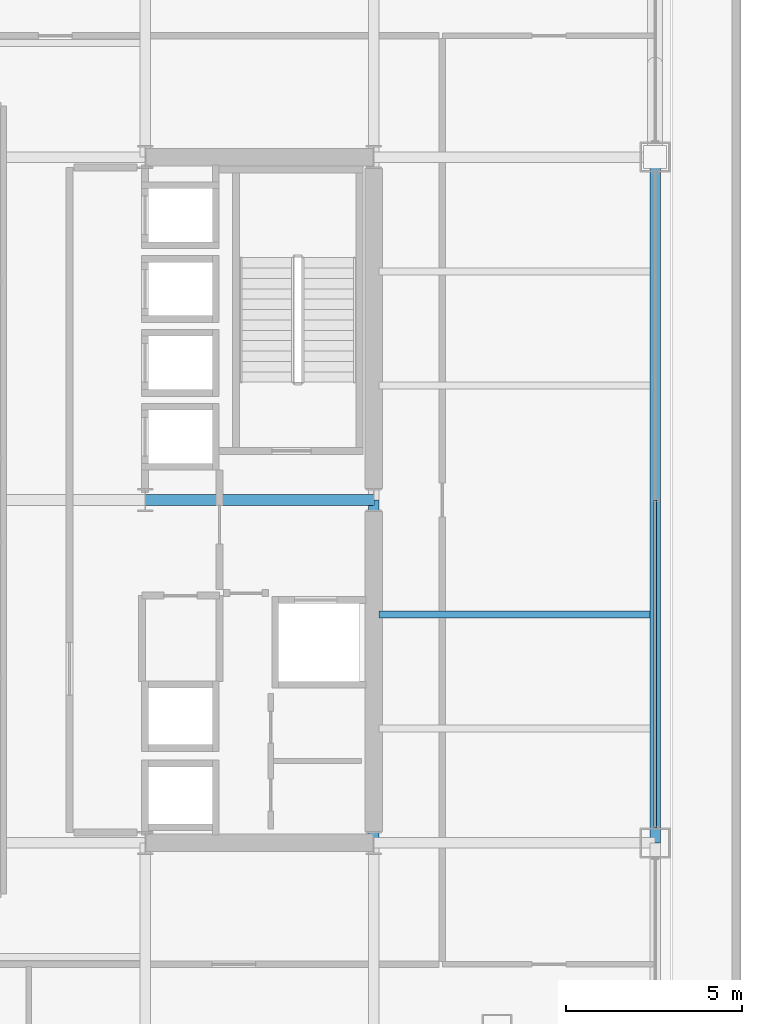
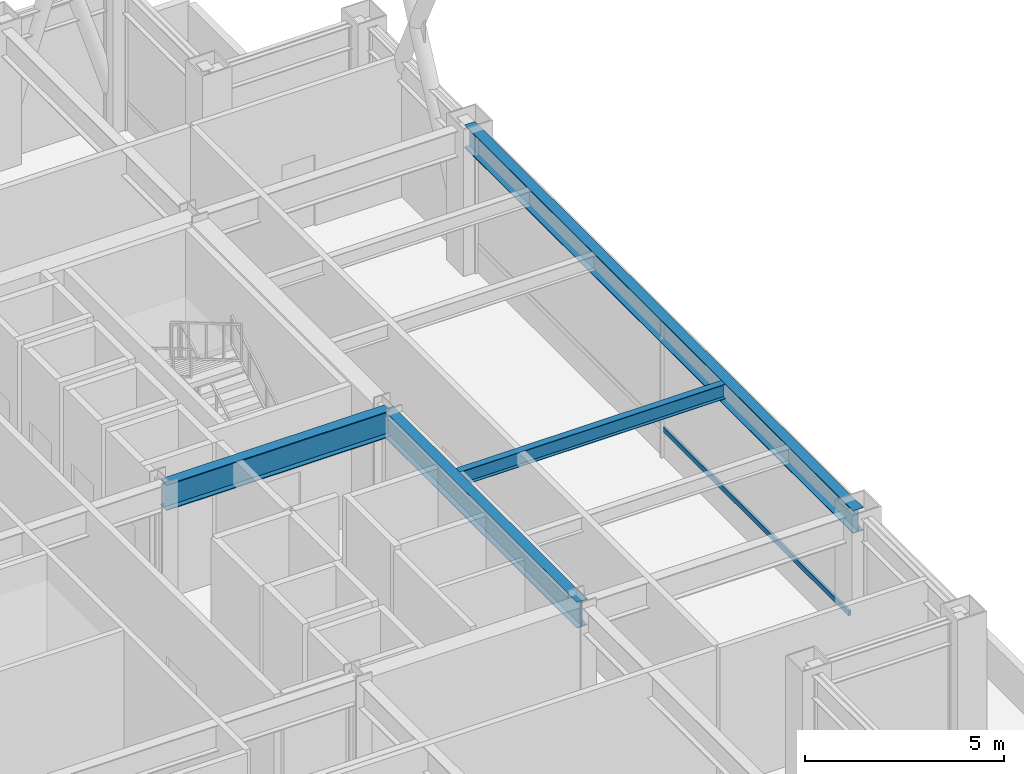
# One storey, part 14 of 32: 4 beams, 1 member, 1 element without a shape of its own.
"""IFC4 building model written with IfcOpenShell, lengths in metres."""

import ifcopenshell
import ifcopenshell.guid

model = None  # the IFC model being written
_history = None  # IfcOwnerHistory: only IFC2X3 demands one
_inside = {}  # id of a spatial element -> (the spatial element, [elements in it])
_under = {}  # id of a project, library or spatial element -> (it, [spatial elements below it])
_declared = {}  # id of a project -> (the project, [libraries it declares])
_typed = {}  # id of a type object -> (the type object, [elements of that type])
_made_of = {}  # id of a material, layer set ... -> (it, [elements and type objects made of it])


def new_model(schema):
    """Start an empty IFC model of exactly this schema.

    Asked for "IFC4X3", IfcOpenShell would pick the latest addendum, in which some entities
    have other attributes; the version numbers below select the first issue.
    IFC2X3 requires an IfcOwnerHistory on every rooted entity: one is made here for all.
    """
    global model, _history
    if schema == "IFC4X3":
        model = ifcopenshell.file(schema_version=(4, 3, 0, 0))
    else:
        model = ifcopenshell.file(schema=schema)
    _inside.clear()
    _under.clear()
    _declared.clear()
    _typed.clear()
    _made_of.clear()
    _history = None
    if model.schema == "IFC2X3":
        org = make("IfcOrganization", Name="unknown")
        user = make(
            "IfcPersonAndOrganization",
            ThePerson=make("IfcPerson", FamilyName="unknown"),
            TheOrganization=org,
        )
        app = make(
            "IfcApplication",
            ApplicationDeveloper=org,
            Version="unknown",
            ApplicationFullName="unknown",
            ApplicationIdentifier="unknown",
        )
        _history = make(
            "IfcOwnerHistory",
            OwningUser=user,
            OwningApplication=app,
            ChangeAction="ADDED",
            CreationDate=0,
        )
    return model


def make(cls, **values):
    """One entity of the class cls with the attributes given. An attribute that is None is left unset."""
    return model.create_entity(
        cls, **{name: value for name, value in values.items() if value is not None}
    )


def rooted(cls, **values):
    """An entity with a GlobalId (a new one), such as an element, a storey or a relation."""
    return make(cls, GlobalId=ifcopenshell.guid.new(), OwnerHistory=_history, **values)


def si_unit(unit_type, name, prefix=None):
    """IfcSIUnit, for example si_unit("LENGTHUNIT", "METRE", prefix="MILLI")."""
    return make("IfcSIUnit", UnitType=unit_type, Prefix=prefix, Name=name)


def assignment(units):
    """IfcUnitAssignment: the units of a project."""
    return None if units is None else make("IfcUnitAssignment", Units=units)


def point(xyz):
    """IfcCartesianPoint."""
    return None if xyz is None else make("IfcCartesianPoint", Coordinates=xyz)


def direction(xyz):
    """IfcDirection."""
    return None if xyz is None else make("IfcDirection", DirectionRatios=xyz)


def frame(location, z_axis=None, x_axis=None):
    """IfcAxis2Placement3D, a coordinate frame: its origin and axes. An axis left out is left unset."""
    return make(
        "IfcAxis2Placement3D",
        Location=point(location),
        Axis=direction(z_axis),
        RefDirection=direction(x_axis),
    )


def frame_2d(location, x_axis=None):
    """IfcAxis2Placement2D, a coordinate frame in the plane: its origin and x axis."""
    return make(
        "IfcAxis2Placement2D", Location=point(location), RefDirection=direction(x_axis)
    )


def origin():
    """The frame at (0, 0, 0) with its axes left unset."""
    return frame((0.0, 0.0, 0.0))


def origin_2d():
    """The frame at (0, 0) in the plane with its x axis left unset."""
    return frame_2d((0.0, 0.0))


def place(relative_to, where):
    """IfcLocalPlacement: puts the frame where relative to a parent placement (None: the world)."""
    return make(
        "IfcLocalPlacement", PlacementRelTo=relative_to, RelativePlacement=where
    )


def context(
    kind, dimensions, precision=None, world=None, true_north=None, identifier=None
):
    """IfcGeometricRepresentationContext, for example the 3D "Model" context."""
    return make(
        "IfcGeometricRepresentationContext",
        ContextIdentifier=identifier,
        ContextType=kind,
        CoordinateSpaceDimension=dimensions,
        Precision=precision,
        WorldCoordinateSystem=world,
        TrueNorth=true_north,
    )


def subcontext(parent, identifier, kind, view, scale=None):
    """IfcGeometricRepresentationSubContext, for example "Body" below "Model"."""
    return make(
        "IfcGeometricRepresentationSubContext",
        ContextIdentifier=identifier,
        ContextType=kind,
        ParentContext=parent,
        TargetScale=scale,
        TargetView=view,
    )


def project(units=None, contexts=None):
    """IfcProject with its units and contexts."""
    return rooted(
        "IfcProject",
        Name="project",
        RepresentationContexts=contexts,
        UnitsInContext=assignment(units),
    )


def spatial(cls, under=None, at=None, **own):
    """A site, building, storey or space (cls), placed at a placement, below another one or the project."""
    s = rooted(cls, ObjectPlacement=at, **own)
    if under is not None:
        _under.setdefault(under.id(), (under, []))[1].append(s)
    return s


def profile(cls, at=None, kind="AREA", **sizes):
    """A parametric profile (cls). Its sizes go by their IFC names, for example OverallWidth=200.0."""
    return make(cls, ProfileType=kind, Position=at, **sizes)


def hollow_rectangle(**sizes):
    """IfcRectangleHollowProfileDef."""
    return profile("IfcRectangleHollowProfileDef", **sizes)


def i_section(**sizes):
    """IfcIShapeProfileDef."""
    return profile("IfcIShapeProfileDef", **sizes)


def extrude(swept, where, along, depth):
    """IfcExtrudedAreaSolid: the profile swept, set in the frame where, extruded along a direction by depth."""
    return make(
        "IfcExtrudedAreaSolid",
        SweptArea=swept,
        Position=where,
        ExtrudedDirection=direction(along),
        Depth=depth,
    )


def shape(context_of_items, identifier, shape_type, items):
    """IfcShapeRepresentation: the items that make up one representation, for example the "Body"."""
    return make(
        "IfcShapeRepresentation",
        ContextOfItems=context_of_items,
        RepresentationIdentifier=identifier,
        RepresentationType=shape_type,
        Items=items,
    )


def material(Name=None, Category=None):
    """IfcMaterial."""
    return make("IfcMaterial", Name=Name, Category=Category)


def layer(
    of_material, thickness, ventilated=None, Name=None, Category=None, Priority=None
):
    """IfcMaterialLayer: one layer of a wall or slab, of a material (None: an air gap)."""
    return make(
        "IfcMaterialLayer",
        Material=of_material,
        LayerThickness=thickness,
        IsVentilated=ventilated,
        Name=Name,
        Category=Category,
        Priority=Priority,
    )


def layer_set(layers, Name=None):
    """IfcMaterialLayerSet."""
    return make("IfcMaterialLayerSet", MaterialLayers=layers, LayerSetName=Name)


def material_profile(
    of_material, cross_section, Name=None, Category=None, Priority=None
):
    """IfcMaterialProfile: a cross section and its material."""
    return make(
        "IfcMaterialProfile",
        Name=Name,
        Material=of_material,
        Profile=cross_section,
        Priority=Priority,
        Category=Category,
    )


def profile_set(profiles, Name=None, composite=None):
    """IfcMaterialProfileSet."""
    return make(
        "IfcMaterialProfileSet",
        Name=Name,
        MaterialProfiles=profiles,
        CompositeProfile=composite,
    )


def made_of(thing, what):
    """Note that an element or type object is made of a material, layer set ...; save() writes the relation."""
    if what is not None:
        _made_of.setdefault(what.id(), (what, []))[1].append(thing)
    return thing


def type_object(cls, material=None, **own):
    """A type object (cls), such as IfcWallType, which elements share."""
    return made_of(rooted(cls, **own), material)


def element(
    cls,
    number,
    at=None,
    inside=None,
    cuts=None,
    type_object=None,
    material=None,
    context=None,
    identifier="Body",
    shape_type=None,
    held_by="IfcProductDefinitionShape",
    body=None,
    shapes=None,
    **own,
):
    """One element of the class cls, such as IfcWall. Its Tag is "e" and its number.

    at: its placement. inside: the storey or other place that contains it. cuts: it is an
    opening in that element (IfcRelVoidsElement). A single representation is given by context,
    identifier, shape_type and body (its items); several are given by shapes. held_by: the class
    of the entity that holds the representations. save() writes the other relations.
    """
    e = rooted(cls, Tag="e%d" % number, ObjectPlacement=at, **own)
    if body is not None:
        shapes = [shape(context, identifier, shape_type, body)]
    if shapes is not None:
        e.Representation = make(held_by, Representations=shapes)
    if inside is not None:
        _inside.setdefault(inside.id(), (inside, []))[1].append(e)
    if cuts is not None:
        rooted(
            "IfcRelVoidsElement", RelatingBuildingElement=cuts, RelatedOpeningElement=e
        )
    if type_object is not None:
        _typed.setdefault(type_object.id(), (type_object, []))[1].append(e)
    return made_of(e, material)


def aggregate(whole, parts):
    """IfcRelAggregates: a whole, such as a stair, and the parts it consists of."""
    return rooted("IfcRelAggregates", RelatingObject=whole, RelatedObjects=parts)


def save(model, path):
    """Write the relations noted so far, then the file.

    IfcRelAggregates (storeys below a building ...), IfcRelContainedInSpatialStructure (elements
    in a storey), IfcRelDefinesByType, IfcRelAssociatesMaterial and IfcRelDeclares: one each for
    every whole, place, type object, material and project.
    """
    for whole, parts in _under.values():
        aggregate(whole, parts)
    for where, things in _inside.values():
        rooted(
            "IfcRelContainedInSpatialStructure",
            RelatedElements=things,
            RelatingStructure=where,
        )
    for kind, things in _typed.values():
        rooted("IfcRelDefinesByType", RelatedObjects=things, RelatingType=kind)
    for what, things in _made_of.values():
        rooted("IfcRelAssociatesMaterial", RelatedObjects=things, RelatingMaterial=what)
    for by, libraries in _declared.values():
        rooted("IfcRelDeclares", RelatingContext=by, RelatedDefinitions=libraries)
    model.write(path)


model = new_model("IFC4")

# Units and contexts
model_context = context("Model", 3, precision=1e-05, world=origin(), true_north=direction((0.0, 1.0)))
body_context = subcontext(model_context, "Body", "Model", "MODEL_VIEW")
ifc_project = project(units=[si_unit("LENGTHUNIT", "METRE"), si_unit("AREAUNIT", "SQUARE_METRE"), si_unit("VOLUMEUNIT", "CUBIC_METRE"), si_unit("PLANEANGLEUNIT", "RADIAN"), si_unit("MASSUNIT", "GRAM", prefix="KILO")], contexts=[model_context])

# Site, building, storey
site_placement = place(None, origin())
site = spatial("IfcSite", under=ifc_project, at=site_placement, CompositionType="ELEMENT")
building_placement = place(site_placement, origin())
building = spatial("IfcBuilding", under=site, at=building_placement, Name="Brelmoor Portico Tower", CompositionType="ELEMENT")
storey_placement = place(building_placement, frame((0.0, 0.0, 87.300048828125)))
storey = spatial("IfcBuildingStorey", under=building, at=storey_placement, Name="L22", CompositionType="ELEMENT", Elevation=87.300048828125)

# Beams
ifc_material_1 = material(Name="Steel Q355B", Category="steel")
ifc_material_profile_1 = material_profile(ifc_material_1, i_section(OverallWidth=0.199951171875, OverallDepth=0.449951171875, WebThickness=0.009033203125, FlangeThickness=0.013916015625, at=origin_2d()), Name="HN 450x200x9x14")
ifc_profile_set_1 = profile_set([ifc_material_profile_1], Name="Steel Q355B")
beam_type_1 = type_object("IfcBeamType", Name="BM-JS-450", PredefinedType="JOIST", material=ifc_profile_set_1)
beam_1_placement = place(storey_placement, frame((14.699951171875, -3.25, 4.074951171875), z_axis=(1.0, 0.0, 0.0), x_axis=(0.0, 1.0, 0.0)))
element("IfcBeam", 1, at=beam_1_placement, inside=storey, type_object=beam_type_1, Name="L22 Secondary Wing Joist JS-E10", PredefinedType="JOIST", context=body_context, shape_type="SweptSolid", body=[
    extrude(i_section(OverallWidth=0.199951171875, OverallDepth=0.449951171875, WebThickness=0.009033203125, FlangeThickness=0.013916015625, at=origin_2d()), origin(), (0.0, 0.0, 1.0), 7.699951171875),
])
ifc_material_profile_2 = material_profile(ifc_material_1, i_section(OverallWidth=0.300048828125, OverallDepth=0.800048828125, WebThickness=0.013916015625, FlangeThickness=0.02587890625, at=origin_2d()), Name="HN 800x300x14x26")
ifc_profile_set_2 = profile_set([ifc_material_profile_2], Name="Steel Q355B")
beam_type_2 = type_object("IfcBeamType", Name="BM-PG-800", PredefinedType="BEAM", material=ifc_profile_set_2)
beam_2_placement = place(storey_placement, frame((14.550048828125, -9.75, 3.89990234375), z_axis=(0.0, 1.0, 0.0), x_axis=(-1.0, 0.0, 0.0)))
element("IfcBeam", 2, at=beam_2_placement, inside=storey, type_object=beam_type_2, Name="L22 Primary Floor Girder PG-10", PredefinedType="BEAM", context=body_context, shape_type="SweptSolid", body=[
    extrude(i_section(OverallWidth=0.300048828125, OverallDepth=0.800048828125, WebThickness=0.013916015625, FlangeThickness=0.02587890625, at=origin_2d()), origin(), (0.0, 0.0, 1.0), 9.75),
])
beam_3_placement = place(storey_placement, frame((8.050048828125, 0.0, 3.89990234375), z_axis=(1.0, 0.0, 0.0), x_axis=(0.0, 1.0, 0.0)))
element("IfcBeam", 3, at=beam_3_placement, inside=storey, type_object=beam_type_2, Name="L22 Primary Floor Girder PG-20", PredefinedType="BEAM", context=body_context, shape_type="SweptSolid", body=[
    extrude(i_section(OverallWidth=0.300048828125, OverallDepth=0.800048828125, WebThickness=0.013916015625, FlangeThickness=0.02587890625, at=origin_2d()), origin(), (0.0, 0.0, 1.0), 6.5),
])
ifc_material_profile_3 = material_profile(ifc_material_1, i_section(OverallWidth=0.300048828125, OverallDepth=0.699951171875, WebThickness=0.012939453125, FlangeThickness=0.02392578125, at=origin_2d()), Name="HN 700x300x13x24")
ifc_profile_set_3 = profile_set([ifc_material_profile_3], Name="Steel Q355B")
beam_type_3 = type_object("IfcBeamType", Name="BM-SP-700", PredefinedType="SPANDREL", material=ifc_profile_set_3)
beam_4_placement = place(storey_placement, frame((22.550048828125, -9.75, 3.949951171875), z_axis=(0.0, 1.0, 0.0), x_axis=(-1.0, 0.0, 0.0)))
element("IfcBeam", 4, at=beam_4_placement, inside=storey, type_object=beam_type_3, Name="L22 Perimeter Spandrel Beam SP-23", PredefinedType="SPANDREL", context=body_context, shape_type="SweptSolid", body=[
    extrude(i_section(OverallWidth=0.300048828125, OverallDepth=0.699951171875, WebThickness=0.012939453125, FlangeThickness=0.02392578125, at=origin_2d()), origin(), (0.0, 0.0, 1.0), 19.5),
])

# Curtain wall, member
ifc_material_2 = material(Name="Anodised Aluminium Alloy 6063-T6", Category="aluminium")
ifc_layer = layer(ifc_material_2, 0.179931640625)
ifc_layer_set = layer_set([ifc_layer], Name="Anodised Aluminium Alloy 6063-T6")
curtain_wall_type = type_object("IfcCurtainWallType", Name="CW-SKYLOBBY", PredefinedType="NOTDEFINED", material=ifc_layer_set)
curtain_wall_placement = place(storey_placement, origin())
curtain_wall = element("IfcCurtainWall", 5, at=curtain_wall_placement, inside=storey, type_object=curtain_wall_type, Name="L22 Curtain Wall CW-L22-04-2", PredefinedType="NOTDEFINED")
ifc_material_profile_4 = material_profile(ifc_material_2, hollow_rectangle(XDim=0.070068359375, YDim=0.159912109375, WallThickness=0.00390625, at=origin_2d()), Name="ALU TRANSOM 70x160")
ifc_profile_set_4 = profile_set([ifc_material_profile_4], Name="Anodised Aluminium Alloy 6063-T6")
member_type = type_object("IfcMemberType", Name="MB-CW-TRAN-160", PredefinedType="USERDEFINED", material=ifc_profile_set_4)
member_placement = place(storey_placement, frame((22.550048828125, -9.31494140625, 0.849853515625), z_axis=(0.0, 1.0, 0.0), x_axis=(-1.0, 0.0, 0.0)))
member = element("IfcMember", 6, at=member_placement, type_object=member_type, Name="CW-L22-04-2 Transom 1-00", ObjectType="TRANSOM", PredefinedType="USERDEFINED", context=body_context, shape_type="SweptSolid", body=[
    extrude(hollow_rectangle(XDim=0.070068359375, YDim=0.159912109375, WallThickness=0.00390625, at=origin_2d()), origin(), (0.0, 0.0, 1.0), 9.31494140625),
])
aggregate(curtain_wall, [member])

save(model, "model.ifc")
